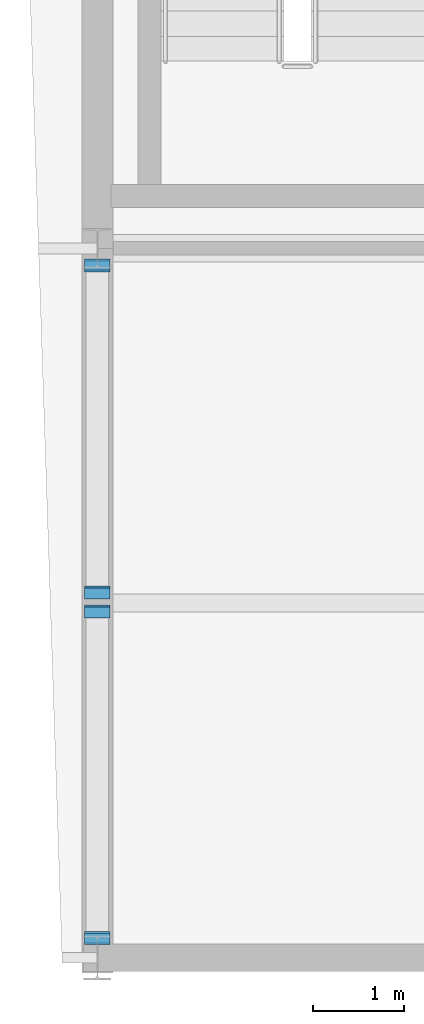
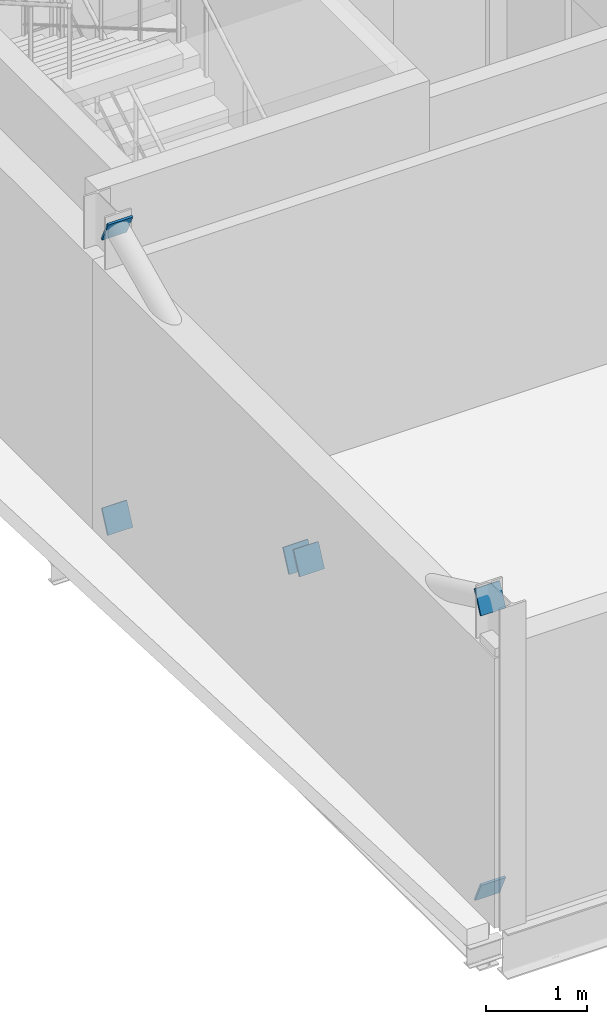
# One storey, part 8 of 16: 6 plates.
"""IFC4 building model written with IfcOpenShell, lengths in metres."""

import ifcopenshell
import ifcopenshell.guid

model = None  # the IFC model being written
_history = None  # IfcOwnerHistory: only IFC2X3 demands one
_inside = {}  # id of a spatial element -> (the spatial element, [elements in it])
_under = {}  # id of a project, library or spatial element -> (it, [spatial elements below it])
_declared = {}  # id of a project -> (the project, [libraries it declares])
_typed = {}  # id of a type object -> (the type object, [elements of that type])
_made_of = {}  # id of a material, layer set ... -> (it, [elements and type objects made of it])


def new_model(schema):
    """Start an empty IFC model of exactly this schema.

    Asked for "IFC4X3", IfcOpenShell would pick the latest addendum, in which some entities
    have other attributes; the version numbers below select the first issue.
    IFC2X3 requires an IfcOwnerHistory on every rooted entity: one is made here for all.
    """
    global model, _history
    if schema == "IFC4X3":
        model = ifcopenshell.file(schema_version=(4, 3, 0, 0))
    else:
        model = ifcopenshell.file(schema=schema)
    _inside.clear()
    _under.clear()
    _declared.clear()
    _typed.clear()
    _made_of.clear()
    _history = None
    if model.schema == "IFC2X3":
        org = make("IfcOrganization", Name="unknown")
        user = make(
            "IfcPersonAndOrganization",
            ThePerson=make("IfcPerson", FamilyName="unknown"),
            TheOrganization=org,
        )
        app = make(
            "IfcApplication",
            ApplicationDeveloper=org,
            Version="unknown",
            ApplicationFullName="unknown",
            ApplicationIdentifier="unknown",
        )
        _history = make(
            "IfcOwnerHistory",
            OwningUser=user,
            OwningApplication=app,
            ChangeAction="ADDED",
            CreationDate=0,
        )
    return model


def make(cls, **values):
    """One entity of the class cls with the attributes given. An attribute that is None is left unset."""
    return model.create_entity(
        cls, **{name: value for name, value in values.items() if value is not None}
    )


def rooted(cls, **values):
    """An entity with a GlobalId (a new one), such as an element, a storey or a relation."""
    return make(cls, GlobalId=ifcopenshell.guid.new(), OwnerHistory=_history, **values)


def si_unit(unit_type, name, prefix=None):
    """IfcSIUnit, for example si_unit("LENGTHUNIT", "METRE", prefix="MILLI")."""
    return make("IfcSIUnit", UnitType=unit_type, Prefix=prefix, Name=name)


def assignment(units):
    """IfcUnitAssignment: the units of a project."""
    return None if units is None else make("IfcUnitAssignment", Units=units)


def point(xyz):
    """IfcCartesianPoint."""
    return None if xyz is None else make("IfcCartesianPoint", Coordinates=xyz)


def direction(xyz):
    """IfcDirection."""
    return None if xyz is None else make("IfcDirection", DirectionRatios=xyz)


def frame(location, z_axis=None, x_axis=None):
    """IfcAxis2Placement3D, a coordinate frame: its origin and axes. An axis left out is left unset."""
    return make(
        "IfcAxis2Placement3D",
        Location=point(location),
        Axis=direction(z_axis),
        RefDirection=direction(x_axis),
    )


def frame_2d(location, x_axis=None):
    """IfcAxis2Placement2D, a coordinate frame in the plane: its origin and x axis."""
    return make(
        "IfcAxis2Placement2D", Location=point(location), RefDirection=direction(x_axis)
    )


def origin():
    """The frame at (0, 0, 0) with its axes left unset."""
    return frame((0.0, 0.0, 0.0))


def origin_2d():
    """The frame at (0, 0) in the plane with its x axis left unset."""
    return frame_2d((0.0, 0.0))


def place(relative_to, where):
    """IfcLocalPlacement: puts the frame where relative to a parent placement (None: the world)."""
    return make(
        "IfcLocalPlacement", PlacementRelTo=relative_to, RelativePlacement=where
    )


def context(
    kind, dimensions, precision=None, world=None, true_north=None, identifier=None
):
    """IfcGeometricRepresentationContext, for example the 3D "Model" context."""
    return make(
        "IfcGeometricRepresentationContext",
        ContextIdentifier=identifier,
        ContextType=kind,
        CoordinateSpaceDimension=dimensions,
        Precision=precision,
        WorldCoordinateSystem=world,
        TrueNorth=true_north,
    )


def subcontext(parent, identifier, kind, view, scale=None):
    """IfcGeometricRepresentationSubContext, for example "Body" below "Model"."""
    return make(
        "IfcGeometricRepresentationSubContext",
        ContextIdentifier=identifier,
        ContextType=kind,
        ParentContext=parent,
        TargetScale=scale,
        TargetView=view,
    )


def project(units=None, contexts=None):
    """IfcProject with its units and contexts."""
    return rooted(
        "IfcProject",
        Name="project",
        RepresentationContexts=contexts,
        UnitsInContext=assignment(units),
    )


def spatial(cls, under=None, at=None, **own):
    """A site, building, storey or space (cls), placed at a placement, below another one or the project."""
    s = rooted(cls, ObjectPlacement=at, **own)
    if under is not None:
        _under.setdefault(under.id(), (under, []))[1].append(s)
    return s


def profile(cls, at=None, kind="AREA", **sizes):
    """A parametric profile (cls). Its sizes go by their IFC names, for example OverallWidth=200.0."""
    return make(cls, ProfileType=kind, Position=at, **sizes)


def rectangle(**sizes):
    """IfcRectangleProfileDef."""
    return profile("IfcRectangleProfileDef", **sizes)


def extrude(swept, where, along, depth):
    """IfcExtrudedAreaSolid: the profile swept, set in the frame where, extruded along a direction by depth."""
    return make(
        "IfcExtrudedAreaSolid",
        SweptArea=swept,
        Position=where,
        ExtrudedDirection=direction(along),
        Depth=depth,
    )


def shape(context_of_items, identifier, shape_type, items):
    """IfcShapeRepresentation: the items that make up one representation, for example the "Body"."""
    return make(
        "IfcShapeRepresentation",
        ContextOfItems=context_of_items,
        RepresentationIdentifier=identifier,
        RepresentationType=shape_type,
        Items=items,
    )


def material(Name=None, Category=None):
    """IfcMaterial."""
    return make("IfcMaterial", Name=Name, Category=Category)


def material_profile(
    of_material, cross_section, Name=None, Category=None, Priority=None
):
    """IfcMaterialProfile: a cross section and its material."""
    return make(
        "IfcMaterialProfile",
        Name=Name,
        Material=of_material,
        Profile=cross_section,
        Priority=Priority,
        Category=Category,
    )


def profile_set(profiles, Name=None, composite=None):
    """IfcMaterialProfileSet."""
    return make(
        "IfcMaterialProfileSet",
        Name=Name,
        MaterialProfiles=profiles,
        CompositeProfile=composite,
    )


def made_of(thing, what):
    """Note that an element or type object is made of a material, layer set ...; save() writes the relation."""
    if what is not None:
        _made_of.setdefault(what.id(), (what, []))[1].append(thing)
    return thing


def type_object(cls, material=None, **own):
    """A type object (cls), such as IfcWallType, which elements share."""
    return made_of(rooted(cls, **own), material)


def element(
    cls,
    number,
    at=None,
    inside=None,
    cuts=None,
    type_object=None,
    material=None,
    context=None,
    identifier="Body",
    shape_type=None,
    held_by="IfcProductDefinitionShape",
    body=None,
    shapes=None,
    **own,
):
    """One element of the class cls, such as IfcWall. Its Tag is "e" and its number.

    at: its placement. inside: the storey or other place that contains it. cuts: it is an
    opening in that element (IfcRelVoidsElement). A single representation is given by context,
    identifier, shape_type and body (its items); several are given by shapes. held_by: the class
    of the entity that holds the representations. save() writes the other relations.
    """
    e = rooted(cls, Tag="e%d" % number, ObjectPlacement=at, **own)
    if body is not None:
        shapes = [shape(context, identifier, shape_type, body)]
    if shapes is not None:
        e.Representation = make(held_by, Representations=shapes)
    if inside is not None:
        _inside.setdefault(inside.id(), (inside, []))[1].append(e)
    if cuts is not None:
        rooted(
            "IfcRelVoidsElement", RelatingBuildingElement=cuts, RelatedOpeningElement=e
        )
    if type_object is not None:
        _typed.setdefault(type_object.id(), (type_object, []))[1].append(e)
    return made_of(e, material)


def aggregate(whole, parts):
    """IfcRelAggregates: a whole, such as a stair, and the parts it consists of."""
    return rooted("IfcRelAggregates", RelatingObject=whole, RelatedObjects=parts)


def save(model, path):
    """Write the relations noted so far, then the file.

    IfcRelAggregates (storeys below a building ...), IfcRelContainedInSpatialStructure (elements
    in a storey), IfcRelDefinesByType, IfcRelAssociatesMaterial and IfcRelDeclares: one each for
    every whole, place, type object, material and project.
    """
    for whole, parts in _under.values():
        aggregate(whole, parts)
    for where, things in _inside.values():
        rooted(
            "IfcRelContainedInSpatialStructure",
            RelatedElements=things,
            RelatingStructure=where,
        )
    for kind, things in _typed.values():
        rooted("IfcRelDefinesByType", RelatedObjects=things, RelatingType=kind)
    for what, things in _made_of.values():
        rooted("IfcRelAssociatesMaterial", RelatedObjects=things, RelatingMaterial=what)
    for by, libraries in _declared.values():
        rooted("IfcRelDeclares", RelatingContext=by, RelatedDefinitions=libraries)
    model.write(path)


model = new_model("IFC4")

# Units and contexts
model_context = context("Model", 3, precision=1e-05, world=origin(), true_north=direction((0.0, 1.0)))
body_context = subcontext(model_context, "Body", "Model", "MODEL_VIEW")
ifc_project = project(units=[si_unit("LENGTHUNIT", "METRE"), si_unit("AREAUNIT", "SQUARE_METRE"), si_unit("VOLUMEUNIT", "CUBIC_METRE"), si_unit("PLANEANGLEUNIT", "RADIAN"), si_unit("MASSUNIT", "GRAM", prefix="KILO")], contexts=[model_context])

# Site, building, storey
site_placement = place(None, origin())
site = spatial("IfcSite", under=ifc_project, at=site_placement, CompositionType="ELEMENT")
building_placement = place(site_placement, origin())
building = spatial("IfcBuilding", under=site, at=building_placement, Name="Vinh Khe Railworks Police Headquarters", CompositionType="ELEMENT")
storey_placement = place(building_placement, frame((0.0, 0.0, 28.800048828125)))
storey = spatial("IfcBuildingStorey", under=building, at=storey_placement, Name="L07", CompositionType="ELEMENT", Elevation=28.800048828125)

# Plates
ifc_material = material(Name="Steel S355JR", Category="steel")
ifc_material_profile = material_profile(ifc_material, rectangle(XDim=0.283935546875, YDim=0.283935546875, at=origin_2d()), Name="PL 284x284")
ifc_profile_set = profile_set([ifc_material_profile], Name="Steel S355JR")
plate_type = type_object("IfcPlateType", Name="Steel End-Cap Plate 284x284x24", PredefinedType="SHEET", material=ifc_profile_set)
for number, where, z_axis, x_axis, name in (
    (1, (0.60009765625, 17.625, 0.199951171875), (0.0, -0.904357603074, -0.42677549808), (1.0, 0.0, 0.0), "End-Cap Gusset Plate PLT-EP-0011"),
    (2, (0.60009765625, 17.625, 3.699951171875), (0.0, -0.904357603074, 0.42677549808), (1.0, 0.0, 0.0), "End-Cap Gusset Plate PLT-EP-0012"),
    (3, (0.60009765625, 21.19775390625, 2.00439453125), (0.0, 0.904357603074, -0.42677549808), (-1.0, 0.0, 0.0), "End-Cap Gusset Plate PLT-EP-0019"),
    (4, (0.60009765625, 21.42724609375, 1.8955078125), (0.0, -0.904357603074, 0.42677549808), (1.0, 0.0, 0.0), "End-Cap Gusset Plate PLT-EP-0032"),
    (5, (0.60009765625, 25.0, 0.199951171875), (0.0, 0.904357603074, -0.42677549808), (-1.0, 0.0, 0.0), "End-Cap Gusset Plate PLT-EP-0043"),
    (6, (0.60009765625, 25.0, 3.699951171875), (0.0, 0.904357603074, 0.42677549808), (-1.0, 0.0, 0.0), "End-Cap Gusset Plate PLT-EP-0044"),
):
    element("IfcPlate", number, at=place(storey_placement, frame(where, z_axis=z_axis, x_axis=x_axis)), inside=storey, type_object=plate_type, Name=name, PredefinedType="SHEET", context=body_context, shape_type="SweptSolid", body=[
        extrude(rectangle(XDim=0.283935546875, YDim=0.283935546875, at=origin_2d()), origin(), (0.0, 0.0, 1.0), 0.02392578125),
    ])

save(model, "model.ifc")
